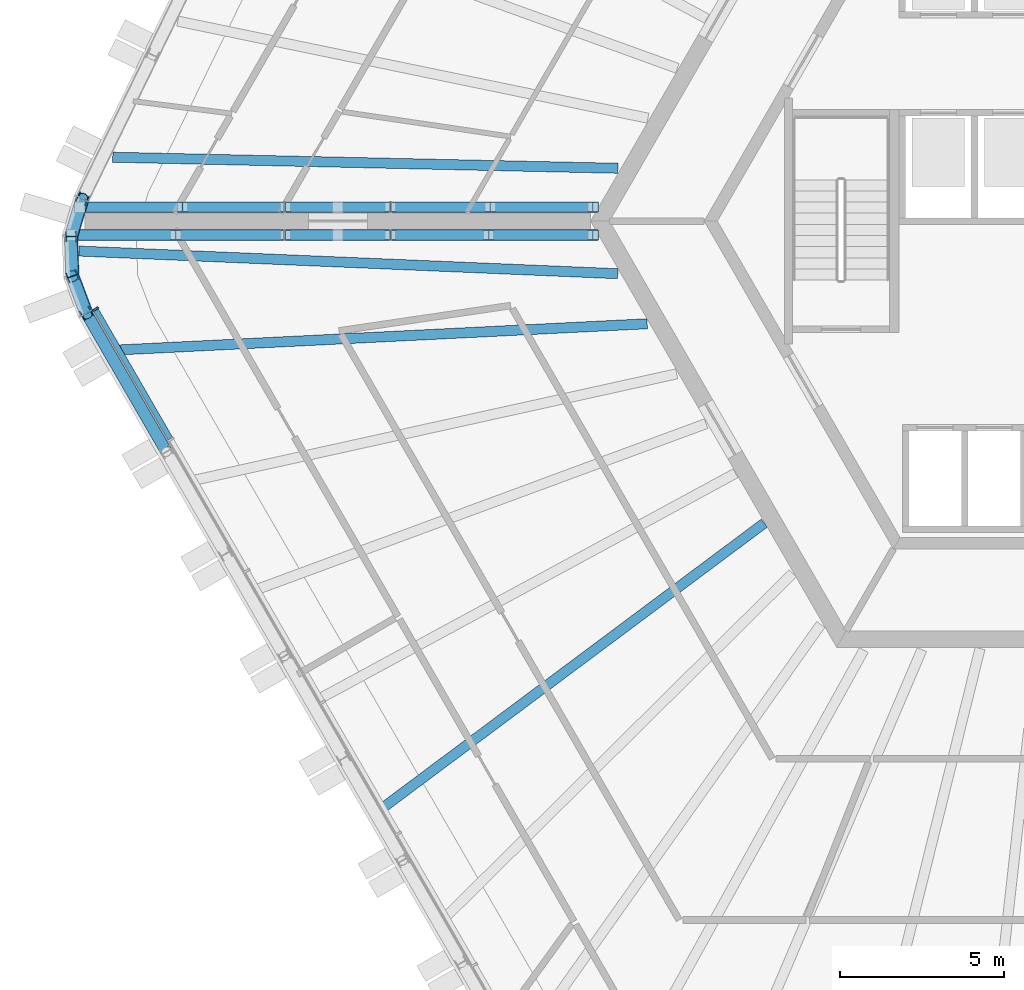
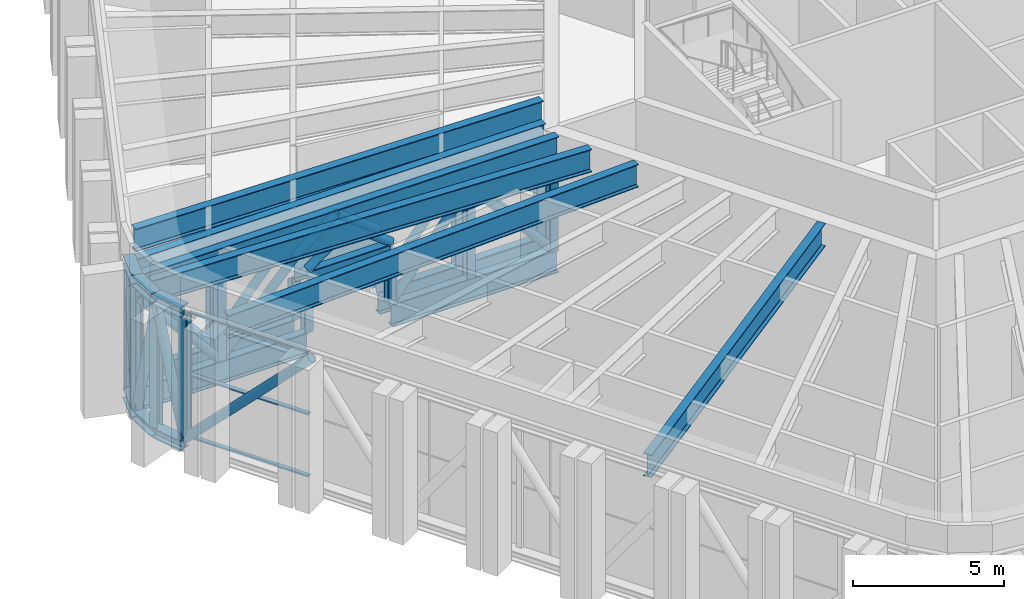
# One storey, part 3 of 24: 48 members, 4 beams, 1 element without a shape of its own.
"""IFC4 building model written with IfcOpenShell, lengths in metres."""

from ifc_helpers import new_model, si_unit, direction, frame, origin, origin_2d, place, context, subcontext, project, spatial, rectangle, hollow_circle, i_section, extrude, material, material_profile, profile_set, type_object, element, aggregate, save


model = new_model("IFC4")

# Units and contexts
model_context = context("Model", 3, precision=1e-05, world=origin(), true_north=direction((0.0, 1.0)))
body_context = subcontext(model_context, "Body", "Model", "MODEL_VIEW")
ifc_project = project(units=[si_unit("LENGTHUNIT", "METRE"), si_unit("AREAUNIT", "SQUARE_METRE"), si_unit("VOLUMEUNIT", "CUBIC_METRE"), si_unit("PLANEANGLEUNIT", "RADIAN"), si_unit("MASSUNIT", "GRAM", prefix="KILO")], contexts=[model_context])

# Site, building, storey
site_placement = place(None, origin())
site = spatial("IfcSite", under=ifc_project, at=site_placement, CompositionType="ELEMENT")
building_placement = place(site_placement, origin())
building = spatial("IfcBuilding", under=site, at=building_placement, Name="Tarnside Tower", CompositionType="ELEMENT")
storey_placement = place(building_placement, frame((0.0, 0.0, 250.199951171875)))
storey = spatial("IfcBuildingStorey", under=building, at=storey_placement, Name="L60", CompositionType="ELEMENT", Elevation=250.199951171875)

# Beams
ifc_material_1 = material(Name="Steel S355", Category="steel")
ifc_material_profile_1 = material_profile(ifc_material_1, i_section(OverallWidth=0.3076171875, OverallDepth=0.926513671875, WebThickness=0.01953125, FlangeThickness=0.031982421875, FilletRadius=0.01904296875, at=origin_2d()), Name="UB 914x305x289")
ifc_profile_set_1 = profile_set([ifc_material_profile_1], Name="Steel S355")
beam_type = type_object("IfcBeamType", Name="Floor beam UB 914x305x289", PredefinedType="BEAM", material=ifc_profile_set_1)
beam_1_placement = place(storey_placement, frame((-29.589111328125, 1.94873046875, 5.036865234375), z_axis=(0.999760303834, -0.021893717752, 0.0), x_axis=(0.021893717752, 0.999760303834, 0.0)))
element("IfcBeam", 1, at=beam_1_placement, inside=storey, type_object=beam_type, Name="Floor beam F2.07", PredefinedType="BEAM", context=body_context, shape_type="SweptSolid", body=[
    extrude(i_section(OverallWidth=0.3076171875, OverallDepth=0.926513671875, WebThickness=0.01953125, FlangeThickness=0.031982421875, FilletRadius=0.01904296875, at=origin_2d()), origin(), (0.0, 0.0, 1.0), 15.410888671875),
])
beam_2_placement = place(storey_placement, frame((-30.62060546875, -0.913818359375, 5.036865234375), z_axis=(0.999117289114, -0.042007649228, 0.0), x_axis=(0.042007649228, 0.999117289114, 0.0)))
element("IfcBeam", 2, at=beam_2_placement, inside=storey, type_object=beam_type, Name="Floor beam C2", PredefinedType="BEAM", context=body_context, shape_type="SweptSolid", body=[
    extrude(i_section(OverallWidth=0.3076171875, OverallDepth=0.926513671875, WebThickness=0.01953125, FlangeThickness=0.031982421875, FilletRadius=0.01904296875, at=origin_2d()), origin(), (0.0, 0.0, 1.0), 16.453125),
])
beam_3_placement = place(storey_placement, frame((-29.427001953125, -3.931396484375, 5.036865234375), z_axis=(0.998775473872, 0.049472747961, 0.0), x_axis=(-0.049472747961, 0.998775473872, 0.0)))
element("IfcBeam", 3, at=beam_3_placement, inside=storey, type_object=beam_type, Name="Floor beam F3.01", PredefinedType="BEAM", context=body_context, shape_type="SweptSolid", body=[
    extrude(i_section(OverallWidth=0.3076171875, OverallDepth=0.926513671875, WebThickness=0.01953125, FlangeThickness=0.031982421875, FilletRadius=0.01904296875, at=origin_2d()), origin(), (0.0, 0.0, 1.0), 16.16162109375),
])
beam_4_placement = place(storey_placement, frame((-21.4013671875, -17.934814453125, 5.036865234375), z_axis=(0.801508328279, 0.597983611564, 0.0), x_axis=(-0.597983611564, 0.801508328279, 0.0)))
element("IfcBeam", 4, at=beam_4_placement, inside=storey, type_object=beam_type, Name="Floor beam F3.05", PredefinedType="BEAM", context=body_context, shape_type="SweptSolid", body=[
    extrude(i_section(OverallWidth=0.3076171875, OverallDepth=0.926513671875, WebThickness=0.01953125, FlangeThickness=0.031982421875, FilletRadius=0.01904296875, at=origin_2d()), origin(), (0.0, 0.0, 1.0), 14.581787109375),
])

# Members
ifc_material_profile_2 = material_profile(ifc_material_1, i_section(OverallWidth=0.3076171875, OverallDepth=0.926513671875, WebThickness=0.01953125, FlangeThickness=0.031982421875, FilletRadius=0.01904296875, at=origin_2d()), Name="UB 914x305x289")
ifc_profile_set_2 = profile_set([ifc_material_profile_2], Name="Steel S355")
member_type_1 = type_object("IfcMemberType", Name="Outrigger chord UB 914x305x289", PredefinedType="CHORD", material=ifc_profile_set_2)
member_1_placement = place(storey_placement, frame((-14.765380859375, -0.425537109375, 5.036865234375), z_axis=(-1.0, 0.0, 0.0), x_axis=(0.0, -1.0, 0.0)))
element("IfcMember", 5, at=member_1_placement, inside=storey, type_object=member_type_1, Name="Outrigger truss top chord OR2A L60", PredefinedType="CHORD", context=body_context, shape_type="SweptSolid", body=[
    extrude(i_section(OverallWidth=0.3076171875, OverallDepth=0.926513671875, WebThickness=0.01953125, FlangeThickness=0.031982421875, FilletRadius=0.01904296875, at=origin_2d()), origin(), (0.0, 0.0, 1.0), 16.080078125),
])
member_2_placement = place(storey_placement, frame((-14.765380859375, -0.425537109375, 0.46337890625), z_axis=(-1.0, 0.0, 0.0), x_axis=(0.0, -1.0, 0.0)))
element("IfcMember", 6, at=member_2_placement, inside=storey, type_object=member_type_1, Name="Outrigger truss bottom chord OR2A L60", PredefinedType="CHORD", context=body_context, shape_type="SweptSolid", body=[
    extrude(i_section(OverallWidth=0.3076171875, OverallDepth=0.926513671875, WebThickness=0.01953125, FlangeThickness=0.031982421875, FilletRadius=0.01904296875, at=origin_2d()), origin(), (0.0, 0.0, 1.0), 6.357666015625),
])
member_3_placement = place(storey_placement, frame((-24.32275390625, -0.425537109375, 0.46337890625), z_axis=(-1.0, 0.0, 0.0), x_axis=(0.0, -1.0, 0.0)))
element("IfcMember", 7, at=member_3_placement, inside=storey, type_object=member_type_1, Name="Outrigger truss bottom chord OR2A L60", PredefinedType="CHORD", context=body_context, shape_type="SweptSolid", body=[
    extrude(i_section(OverallWidth=0.3076171875, OverallDepth=0.926513671875, WebThickness=0.01953125, FlangeThickness=0.031982421875, FilletRadius=0.01904296875, at=origin_2d()), origin(), (0.0, 0.0, 1.0), 6.522705078125),
])
member_4_placement = place(storey_placement, frame((-21.123046875, -0.425537109375, 2.913330078125), z_axis=(-1.0, 0.0, 0.0), x_axis=(0.0, -1.0, 0.0)))
element("IfcMember", 8, at=member_4_placement, inside=storey, type_object=member_type_1, Name="Outrigger truss lintel OR2A L60", PredefinedType="CHORD", context=body_context, shape_type="SweptSolid", body=[
    extrude(i_section(OverallWidth=0.3076171875, OverallDepth=0.926513671875, WebThickness=0.01953125, FlangeThickness=0.031982421875, FilletRadius=0.01904296875, at=origin_2d()), origin(), (0.0, 0.0, 1.0), 3.19970703125),
])
member_5_placement = place(storey_placement, frame((-14.765380859375, 0.425537109375, 5.036865234375), z_axis=(-1.0, 0.0, 0.0), x_axis=(0.0, -1.0, 0.0)))
element("IfcMember", 9, at=member_5_placement, inside=storey, type_object=member_type_1, Name="Outrigger truss top chord OR2B L60", PredefinedType="CHORD", context=body_context, shape_type="SweptSolid", body=[
    extrude(i_section(OverallWidth=0.3076171875, OverallDepth=0.926513671875, WebThickness=0.01953125, FlangeThickness=0.031982421875, FilletRadius=0.01904296875, at=origin_2d()), origin(), (0.0, 0.0, 1.0), 15.8251953125),
])
member_6_placement = place(storey_placement, frame((-14.765380859375, 0.425537109375, 0.46337890625), z_axis=(-1.0, 0.0, 0.0), x_axis=(0.0, -1.0, 0.0)))
element("IfcMember", 10, at=member_6_placement, inside=storey, type_object=member_type_1, Name="Outrigger truss bottom chord OR2B L60", PredefinedType="CHORD", context=body_context, shape_type="SweptSolid", body=[
    extrude(i_section(OverallWidth=0.3076171875, OverallDepth=0.926513671875, WebThickness=0.01953125, FlangeThickness=0.031982421875, FilletRadius=0.01904296875, at=origin_2d()), origin(), (0.0, 0.0, 1.0), 6.357666015625),
])
member_7_placement = place(storey_placement, frame((-24.32275390625, 0.425537109375, 0.46337890625), z_axis=(-1.0, 0.0, 0.0), x_axis=(0.0, -1.0, 0.0)))
element("IfcMember", 11, at=member_7_placement, inside=storey, type_object=member_type_1, Name="Outrigger truss bottom chord OR2B L60", PredefinedType="CHORD", context=body_context, shape_type="SweptSolid", body=[
    extrude(i_section(OverallWidth=0.3076171875, OverallDepth=0.926513671875, WebThickness=0.01953125, FlangeThickness=0.031982421875, FilletRadius=0.01904296875, at=origin_2d()), origin(), (0.0, 0.0, 1.0), 6.267822265625),
])
member_8_placement = place(storey_placement, frame((-21.123046875, 0.425537109375, 2.913330078125), z_axis=(-1.0, 0.0, 0.0), x_axis=(0.0, -1.0, 0.0)))
element("IfcMember", 12, at=member_8_placement, inside=storey, type_object=member_type_1, Name="Outrigger truss lintel OR2B L60", PredefinedType="CHORD", context=body_context, shape_type="SweptSolid", body=[
    extrude(i_section(OverallWidth=0.3076171875, OverallDepth=0.926513671875, WebThickness=0.01953125, FlangeThickness=0.031982421875, FilletRadius=0.01904296875, at=origin_2d()), origin(), (0.0, 0.0, 1.0), 3.19970703125),
])
ifc_material_profile_3 = material_profile(ifc_material_1, hollow_circle(Radius=0.161865234375, WallThickness=0.012451171875, at=origin_2d()), Name="CHS 323.9x12.5")
ifc_profile_set_3 = profile_set([ifc_material_profile_3], Name="Steel S355")
member_type_2 = type_object("IfcMemberType", Name="Outrigger diagonal CHS 323.9x12.5", PredefinedType="BRACE", material=ifc_profile_set_3)
member_9_placement = place(storey_placement, frame((-14.94091796875, -0.425537109375, 0.9267578125), z_axis=(-0.657335834515, 0.0, 0.753597771137), x_axis=(0.0, -1.0, 0.0)))
element("IfcMember", 13, at=member_9_placement, inside=storey, type_object=member_type_2, Name="Outrigger truss diagonal OR2A 1", PredefinedType="BRACE", context=body_context, shape_type="SweptSolid", body=[
    extrude(hollow_circle(Radius=0.161865234375, WallThickness=0.012451171875, at=origin_2d()), origin(), (0.0, 0.0, 1.0), 4.839111328125),
])
member_10_placement = place(storey_placement, frame((-18.121826171875, -0.425537109375, 4.573486328125), z_axis=(-0.635458988204, 0.0, -0.772134621883), x_axis=(0.0, -1.0, 0.0)))
element("IfcMember", 14, at=member_10_placement, inside=storey, type_object=member_type_2, Name="Outrigger truss diagonal OR2A 2", PredefinedType="BRACE", context=body_context, shape_type="SweptSolid", body=[
    extrude(hollow_circle(Radius=0.161865234375, WallThickness=0.012451171875, at=origin_2d()), origin(), (0.0, 0.0, 1.0), 4.722900390625),
])
for number, where, z_axis, x_axis, name in (
    (15, (-21.123046875, -0.425537109375, 3.376708984375), (-0.800747215157, 0.0, 0.599002418541), (0.0, -1.0, 0.0), "Outrigger truss diagonal OR2A 3"),
    (16, (-24.32275390625, -0.425537109375, 3.376708984375), (0.800747215157, 0.0, 0.599002418541), (0.0, 1.0, 0.0), "Outrigger truss diagonal OR2A 4"),
):
    element("IfcMember", number, at=place(storey_placement, frame(where, z_axis=z_axis, x_axis=x_axis)), inside=storey, type_object=member_type_2, Name=name, PredefinedType="BRACE", context=body_context, shape_type="SweptSolid", body=[
        extrude(hollow_circle(Radius=0.161865234375, WallThickness=0.012451171875, at=origin_2d()), origin(), (0.0, 0.0, 1.0), 1.998046875),
    ])
member_11_placement = place(storey_placement, frame((-24.32275390625, -0.425537109375, 4.573486328125), z_axis=(-0.675610631679, 0.0, -0.737258621084), x_axis=(0.0, -1.0, 0.0)))
element("IfcMember", 17, at=member_11_placement, inside=storey, type_object=member_type_2, Name="Outrigger truss diagonal OR2A 5", PredefinedType="BRACE", context=body_context, shape_type="SweptSolid", body=[
    extrude(hollow_circle(Radius=0.161865234375, WallThickness=0.012451171875, at=origin_2d()), origin(), (0.0, 0.0, 1.0), 4.9462890625),
])
member_12_placement = place(storey_placement, frame((-27.66455078125, -0.425537109375, 0.9267578125), z_axis=(-0.657335834515, 0.0, 0.753597771137), x_axis=(0.0, -1.0, 0.0)))
element("IfcMember", 18, at=member_12_placement, inside=storey, type_object=member_type_2, Name="Outrigger truss diagonal OR2A 6", PredefinedType="BRACE", context=body_context, shape_type="SweptSolid", body=[
    extrude(hollow_circle(Radius=0.161865234375, WallThickness=0.012451171875, at=origin_2d()), origin(), (0.0, 0.0, 1.0), 4.839111328125),
])
member_13_placement = place(storey_placement, frame((-14.94091796875, 0.425537109375, 0.9267578125), z_axis=(-0.651284914274, 0.0, 0.758833288963), x_axis=(0.0, -1.0, 0.0)))
element("IfcMember", 19, at=member_13_placement, inside=storey, type_object=member_type_2, Name="Outrigger truss diagonal OR2B 1", PredefinedType="BRACE", context=body_context, shape_type="SweptSolid", body=[
    extrude(hollow_circle(Radius=0.161865234375, WallThickness=0.012451171875, at=origin_2d()), origin(), (0.0, 0.0, 1.0), 4.8056640625),
])
member_14_placement = place(storey_placement, frame((-18.07080078125, 0.425537109375, 4.573486328125), z_axis=(-0.641834169573, 0.0, -0.766843464319), x_axis=(0.0, -1.0, 0.0)))
element("IfcMember", 20, at=member_14_placement, inside=storey, type_object=member_type_2, Name="Outrigger truss diagonal OR2B 2", PredefinedType="BRACE", context=body_context, shape_type="SweptSolid", body=[
    extrude(hollow_circle(Radius=0.161865234375, WallThickness=0.012451171875, at=origin_2d()), origin(), (0.0, 0.0, 1.0), 4.755615234375),
])
for number, where, z_axis, x_axis, name in (
    (21, (-21.123046875, 0.425537109375, 3.376708984375), (-0.800747215157, 0.0, 0.599002418541), (0.0, -1.0, 0.0), "Outrigger truss diagonal OR2B 3"),
    (22, (-24.32275390625, 0.425537109375, 3.376708984375), (0.800747215157, 0.0, 0.599002418541), (0.0, 1.0, 0.0), "Outrigger truss diagonal OR2B 4"),
):
    element("IfcMember", number, at=place(storey_placement, frame(where, z_axis=z_axis, x_axis=x_axis)), inside=storey, type_object=member_type_2, Name=name, PredefinedType="BRACE", context=body_context, shape_type="SweptSolid", body=[
        extrude(hollow_circle(Radius=0.161865234375, WallThickness=0.012451171875, at=origin_2d()), origin(), (0.0, 0.0, 1.0), 1.998046875),
    ])
member_15_placement = place(storey_placement, frame((-24.32275390625, 0.425537109375, 4.573486328125), z_axis=(-0.652248695583, 0.0, -0.758005038974), x_axis=(0.0, -1.0, 0.0)))
element("IfcMember", 23, at=member_15_placement, inside=storey, type_object=member_type_2, Name="Outrigger truss diagonal OR2B 5", PredefinedType="BRACE", context=body_context, shape_type="SweptSolid", body=[
    extrude(hollow_circle(Radius=0.161865234375, WallThickness=0.012451171875, at=origin_2d()), origin(), (0.0, 0.0, 1.0), 4.81103515625),
])
member_16_placement = place(storey_placement, frame((-27.460693359375, 0.425537109375, 0.9267578125), z_axis=(-0.651284914274, 0.0, 0.758833288963), x_axis=(0.0, -1.0, 0.0)))
element("IfcMember", 24, at=member_16_placement, inside=storey, type_object=member_type_2, Name="Outrigger truss diagonal OR2B 6", PredefinedType="BRACE", context=body_context, shape_type="SweptSolid", body=[
    extrude(hollow_circle(Radius=0.161865234375, WallThickness=0.012451171875, at=origin_2d()), origin(), (0.0, 0.0, 1.0), 4.8056640625),
])
ifc_material_profile_4 = material_profile(ifc_material_1, i_section(OverallWidth=0.311279296875, OverallDepth=0.3271484375, WebThickness=0.015869140625, FlangeThickness=0.02490234375, FilletRadius=0.01513671875, at=origin_2d()), Name="UC 305x305x158")
ifc_profile_set_4 = profile_set([ifc_material_profile_4], Name="Steel S355")
member_type_3 = type_object("IfcMemberType", Name="Outrigger post UC 305x305x158", PredefinedType="POST", material=ifc_profile_set_4)
for number, where, z_axis, x_axis, name in (
    (25, (-14.94091796875, -0.425537109375, 0.9267578125), (0.0, 0.0, 1.0), (-1.0, 0.0, 0.0), "Outrigger truss post OR2A 1"),
    (26, (-18.121826171875, -0.425537109375, 0.9267578125), (0.0, 0.0, 1.0), (-1.0, 0.0, 0.0), "Outrigger truss post OR2A 2"),
):
    element("IfcMember", number, at=place(storey_placement, frame(where, z_axis=z_axis, x_axis=x_axis)), inside=storey, type_object=member_type_3, Name=name, PredefinedType="POST", context=body_context, shape_type="SweptSolid", body=[
        extrude(i_section(OverallWidth=0.311279296875, OverallDepth=0.3271484375, WebThickness=0.015869140625, FlangeThickness=0.02490234375, FilletRadius=0.01513671875, at=origin_2d()), origin(), (0.0, 0.0, 1.0), 3.646728515625),
    ])
for number, where, z_axis, x_axis, name in (
    (27, (-21.123046875, -0.425537109375, 0.9267578125), (0.0, 0.0, 1.0), (-1.0, 0.0, 0.0), "Outrigger truss post OR2A 3"),
    (28, (-24.32275390625, -0.425537109375, 0.9267578125), (0.0, 0.0, 1.0), (-1.0, 0.0, 0.0), "Outrigger truss post OR2A 4"),
):
    element("IfcMember", number, at=place(storey_placement, frame(where, z_axis=z_axis, x_axis=x_axis)), inside=storey, type_object=member_type_3, Name=name, PredefinedType="POST", context=body_context, shape_type="SweptSolid", body=[
        extrude(i_section(OverallWidth=0.311279296875, OverallDepth=0.3271484375, WebThickness=0.015869140625, FlangeThickness=0.02490234375, FilletRadius=0.01513671875, at=origin_2d()), origin(), (0.0, 0.0, 1.0), 1.523193359375),
    ])
for number, where, z_axis, x_axis, name in (
    (29, (-27.66455078125, -0.425537109375, 0.9267578125), (0.0, 0.0, 1.0), (-1.0, 0.0, 0.0), "Outrigger truss post OR2A 5"),
    (30, (-14.94091796875, 0.425537109375, 0.9267578125), (0.0, 0.0, 1.0), (-1.0, 0.0, 0.0), "Outrigger truss post OR2B 1"),
    (31, (-18.07080078125, 0.425537109375, 0.9267578125), (0.0, 0.0, 1.0), (-1.0, 0.0, 0.0), "Outrigger truss post OR2B 2"),
):
    element("IfcMember", number, at=place(storey_placement, frame(where, z_axis=z_axis, x_axis=x_axis)), inside=storey, type_object=member_type_3, Name=name, PredefinedType="POST", context=body_context, shape_type="SweptSolid", body=[
        extrude(i_section(OverallWidth=0.311279296875, OverallDepth=0.3271484375, WebThickness=0.015869140625, FlangeThickness=0.02490234375, FilletRadius=0.01513671875, at=origin_2d()), origin(), (0.0, 0.0, 1.0), 3.646728515625),
    ])
for number, where, z_axis, x_axis, name in (
    (32, (-21.123046875, 0.425537109375, 0.9267578125), (0.0, 0.0, 1.0), (-1.0, 0.0, 0.0), "Outrigger truss post OR2B 3"),
    (33, (-24.32275390625, 0.425537109375, 0.9267578125), (0.0, 0.0, 1.0), (-1.0, 0.0, 0.0), "Outrigger truss post OR2B 4"),
):
    element("IfcMember", number, at=place(storey_placement, frame(where, z_axis=z_axis, x_axis=x_axis)), inside=storey, type_object=member_type_3, Name=name, PredefinedType="POST", context=body_context, shape_type="SweptSolid", body=[
        extrude(i_section(OverallWidth=0.311279296875, OverallDepth=0.3271484375, WebThickness=0.015869140625, FlangeThickness=0.02490234375, FilletRadius=0.01513671875, at=origin_2d()), origin(), (0.0, 0.0, 1.0), 1.523193359375),
    ])
member_17_placement = place(storey_placement, frame((-27.460693359375, 0.425537109375, 0.9267578125), z_axis=(0.0, 0.0, 1.0), x_axis=(-1.0, 0.0, 0.0)))
element("IfcMember", 34, at=member_17_placement, inside=storey, type_object=member_type_3, Name="Outrigger truss post OR2B 5", PredefinedType="POST", context=body_context, shape_type="SweptSolid", body=[
    extrude(i_section(OverallWidth=0.311279296875, OverallDepth=0.3271484375, WebThickness=0.015869140625, FlangeThickness=0.02490234375, FilletRadius=0.01513671875, at=origin_2d()), origin(), (0.0, 0.0, 1.0), 3.646728515625),
])

# Curtain wall, members
ifc_material_2 = material(Name="Sky lobby glazing wall", Category="glass")
curtain_wall_type = type_object("IfcCurtainWallType", Name="Sky lobby glazing wall", PredefinedType="NOTDEFINED", material=ifc_material_2)
curtain_wall_placement = place(storey_placement, origin())
curtain_wall = element("IfcCurtainWall", 35, at=curtain_wall_placement, inside=storey, type_object=curtain_wall_type, Name="Sky lobby glazing L60 F3", PredefinedType="NOTDEFINED")
ifc_material_3 = material(Name="Aluminium alloy 6063", Category="aluminium")
ifc_material_profile_5 = material_profile(ifc_material_3, rectangle(XDim=0.199951171875, YDim=0.06005859375, at=origin_2d()), Name="Sky lobby glazing mullion 60 x 200")
ifc_profile_set_5 = profile_set([ifc_material_profile_5], Name="Aluminium alloy 6063")
member_type_4 = type_object("IfcMemberType", Name="Sky lobby glazing mullion 60 x 200", PredefinedType="MULLION", material=ifc_profile_set_5)
member_18_placement = place(storey_placement, frame((-30.11328125, -2.685302734375, 0.0), z_axis=(0.0, 0.0, 1.0), x_axis=(0.866025403784, 0.5, 0.0)))
member_18 = element("IfcMember", 36, at=member_18_placement, type_object=member_type_4, Name="CW4 mullion 1", PredefinedType="MULLION", context=body_context, shape_type="SweptSolid", body=[
    extrude(rectangle(XDim=0.199951171875, YDim=0.06005859375, at=origin_2d()), origin(), (0.0, 0.0, 1.0), 5.0810546875),
])
ifc_material_profile_6 = material_profile(ifc_material_3, rectangle(XDim=0.159912109375, YDim=0.06005859375, at=origin_2d()), Name="Sky lobby glazing transom 60 x 160")
ifc_profile_set_6 = profile_set([ifc_material_profile_6], Name="Aluminium alloy 6063")
member_type_5 = type_object("IfcMemberType", Name="Sky lobby glazing transom 60 x 160", PredefinedType="USERDEFINED", material=ifc_profile_set_6)
member_19_placement = place(storey_placement, frame((-30.09814453125, -2.71142578125, 0.030029296875), z_axis=(0.499994220392, -0.866028740617, 0.0), x_axis=(0.866028740617, 0.499994220392, 0.0)))
member_19 = element("IfcMember", 37, at=member_19_placement, type_object=member_type_5, Name="CW4 transom 1.1", ObjectType="TRANSOM", PredefinedType="USERDEFINED", context=body_context, shape_type="SweptSolid", body=[
    extrude(rectangle(XDim=0.159912109375, YDim=0.06005859375, at=origin_2d()), origin(), (0.0, 0.0, 1.0), 4.5361328125),
])
member_20_placement = place(storey_placement, frame((-30.09814453125, -2.71142578125, 2.54052734375), z_axis=(0.499994220392, -0.866028740617, 0.0), x_axis=(0.866028740617, 0.499994220392, 0.0)))
member_20 = element("IfcMember", 38, at=member_20_placement, type_object=member_type_5, Name="CW4 transom 1.2", ObjectType="TRANSOM", PredefinedType="USERDEFINED", context=body_context, shape_type="SweptSolid", body=[
    extrude(rectangle(XDim=0.159912109375, YDim=0.06005859375, at=origin_2d()), origin(), (0.0, 0.0, 1.0), 4.5361328125),
])
member_21_placement = place(storey_placement, frame((-30.09814453125, -2.71142578125, 5.051025390625), z_axis=(0.499994220392, -0.866028740617, 0.0), x_axis=(0.866028740617, 0.499994220392, 0.0)))
member_21 = element("IfcMember", 39, at=member_21_placement, type_object=member_type_5, Name="CW4 transom 1.3", ObjectType="TRANSOM", PredefinedType="USERDEFINED", context=body_context, shape_type="SweptSolid", body=[
    extrude(rectangle(XDim=0.159912109375, YDim=0.06005859375, at=origin_2d()), origin(), (0.0, 0.0, 1.0), 4.5361328125),
])
aggregate(curtain_wall, [member_18, member_19, member_20, member_21])

# Members
ifc_material_profile_7 = material_profile(ifc_material_1, i_section(OverallWidth=0.403076171875, OverallDepth=0.406494140625, WebThickness=0.026611328125, FlangeThickness=0.04296875, FilletRadius=0.01513671875, at=origin_2d()), Name="UC 356x406x340")
ifc_profile_set_7 = profile_set([ifc_material_profile_7], Name="Steel S355")
member_type_6 = type_object("IfcMemberType", Name="Truss chord UC 356x406x340", PredefinedType="CHORD", material=ifc_profile_set_7)
for number, where, z_axis, x_axis, name in (
    (40, (-30.51318359375, 0.684326171875, -0.0966796875), (-0.286736058109, -0.958009620505, 0.0), (0.958009620505, -0.286736058109, 0.0), "Belt truss bottom chord L60 corner2.1"),
    (41, (-30.859619140625, -0.47314453125, -0.0966796875), (0.03495638276, -0.999388838893, 0.0), (0.999388838893, 0.03495638276, 0.0), "Belt truss bottom chord L60 corner2.2"),
):
    element("IfcMember", number, at=place(storey_placement, frame(where, z_axis=z_axis, x_axis=x_axis)), inside=storey, type_object=member_type_6, Name=name, PredefinedType="CHORD", context=body_context, shape_type="SweptSolid", body=[
        extrude(i_section(OverallWidth=0.403076171875, OverallDepth=0.406494140625, WebThickness=0.026611328125, FlangeThickness=0.04296875, FilletRadius=0.01513671875, at=origin_2d()), origin(), (0.0, 0.0, 1.0), 1.208251953125),
    ])
member_22_placement = place(storey_placement, frame((-30.8173828125, -1.6806640625, -0.0966796875), z_axis=(0.352850303963, -0.935679786569, 0.0), x_axis=(0.935679786569, 0.352850303963, 0.0)))
element("IfcMember", 42, at=member_22_placement, inside=storey, type_object=member_type_6, Name="Belt truss bottom chord L60 corner2.3", PredefinedType="CHORD", context=body_context, shape_type="SweptSolid", body=[
    extrude(i_section(OverallWidth=0.403076171875, OverallDepth=0.406494140625, WebThickness=0.026611328125, FlangeThickness=0.04296875, FilletRadius=0.01513671875, at=origin_2d()), origin(), (0.0, 0.0, 1.0), 1.2080078125),
])
ifc_material_profile_8 = material_profile(ifc_material_1, i_section(OverallWidth=0.406982421875, OverallDepth=0.4189453125, WebThickness=0.030517578125, FlangeThickness=0.04931640625, FilletRadius=0.01513671875, at=origin_2d()), Name="UC 356x406x393")
ifc_profile_set_8 = profile_set([ifc_material_profile_8], Name="Steel S355")
member_type_7 = type_object("IfcMemberType", Name="Truss chord UC 356x406x393", PredefinedType="CHORD", material=ifc_profile_set_8)
for number, where, z_axis, x_axis, name in (
    (43, (-30.51318359375, 0.684326171875, 5.29052734375), (-0.286736058109, -0.958009620505, 0.0), (0.958009620505, -0.286736058109, 0.0), "Belt truss top chord L60 corner2.1"),
    (44, (-30.859619140625, -0.47314453125, 5.29052734375), (0.03495638276, -0.999388838893, 0.0), (0.999388838893, 0.03495638276, 0.0), "Belt truss top chord L60 corner2.2"),
):
    element("IfcMember", number, at=place(storey_placement, frame(where, z_axis=z_axis, x_axis=x_axis)), inside=storey, type_object=member_type_7, Name=name, PredefinedType="CHORD", context=body_context, shape_type="SweptSolid", body=[
        extrude(i_section(OverallWidth=0.406982421875, OverallDepth=0.4189453125, WebThickness=0.030517578125, FlangeThickness=0.04931640625, FilletRadius=0.01513671875, at=origin_2d()), origin(), (0.0, 0.0, 1.0), 1.208251953125),
    ])
member_23_placement = place(storey_placement, frame((-30.8173828125, -1.6806640625, 5.29052734375), z_axis=(0.352850303963, -0.935679786569, 0.0), x_axis=(0.935679786569, 0.352850303963, 0.0)))
element("IfcMember", 45, at=member_23_placement, inside=storey, type_object=member_type_7, Name="Belt truss top chord L60 corner2.3", PredefinedType="CHORD", context=body_context, shape_type="SweptSolid", body=[
    extrude(i_section(OverallWidth=0.406982421875, OverallDepth=0.4189453125, WebThickness=0.030517578125, FlangeThickness=0.04931640625, FilletRadius=0.01513671875, at=origin_2d()), origin(), (0.0, 0.0, 1.0), 1.2080078125),
])
ifc_material_profile_9 = material_profile(ifc_material_1, hollow_circle(Radius=0.177734375, WallThickness=0.01611328125, at=origin_2d()), Name="CHS 355.6x16")
ifc_profile_set_9 = profile_set([ifc_material_profile_9], Name="Steel S355")
member_type_8 = type_object("IfcMemberType", Name="Truss diagonal CHS 355.6x16", PredefinedType="BRACE", material=ifc_profile_set_9)
for number, where, z_axis, x_axis, name in (
    (46, (-30.51318359375, 0.684326171875, 5.0810546875), (-0.067673397746, -0.226102592468, -0.971749931267), (0.958009620505, -0.286736058109, 0.0), "Belt truss diagonal L60 18"),
    (47, (-30.859619140625, -0.47314453125, 0.1064453125), (0.008250506328, -0.235878637566, 0.971747496773), (0.999388838893, 0.03495638276, 0.0), "Belt truss diagonal L60 19"),
    (48, (-30.8173828125, -1.6806640625, 5.0810546875), (0.083268819373, -0.220810214029, -0.971755706492), (0.935679786569, 0.352850303963, 0.0), "Belt truss diagonal L60 20"),
):
    element("IfcMember", number, at=place(storey_placement, frame(where, z_axis=z_axis, x_axis=x_axis)), inside=storey, type_object=member_type_8, Name=name, PredefinedType="BRACE", context=body_context, shape_type="SweptSolid", body=[
        extrude(hollow_circle(Radius=0.177734375, WallThickness=0.01611328125, at=origin_2d()), origin(), (0.0, 0.0, 1.0), 5.119140625),
    ])
member_24_placement = place(storey_placement, frame((-30.39111328125, -2.81103515625, 0.1064453125), z_axis=(0.350100368534, -0.606403830887, 0.713935659453), x_axis=(0.866029761307, 0.499992452474, 0.0)))
element("IfcMember", 49, at=member_24_placement, inside=storey, type_object=member_type_8, Name="Belt truss diagonal L60 21", PredefinedType="BRACE", context=body_context, shape_type="SweptSolid", body=[
    extrude(hollow_circle(Radius=0.177734375, WallThickness=0.01611328125, at=origin_2d()), origin(), (0.0, 0.0, 1.0), 6.9677734375),
])
ifc_material_profile_10 = material_profile(ifc_material_1, i_section(OverallWidth=0.311279296875, OverallDepth=0.3271484375, WebThickness=0.015869140625, FlangeThickness=0.02490234375, FilletRadius=0.01513671875, at=origin_2d()), Name="UC 305x305x158")
ifc_profile_set_10 = profile_set([ifc_material_profile_10], Name="Steel S355")
member_type_9 = type_object("IfcMemberType", Name="Truss post UC 305x305x158", PredefinedType="POST", material=ifc_profile_set_10)
for number, where, z_axis, x_axis, name in (
    (50, (-30.51318359375, 0.684326171875, 0.1064453125), (0.0, 0.0, 1.0), (-0.438371146789, -0.898794046299, 0.0), "Belt truss post L60 18"),
    (51, (-30.859619140625, -0.47314453125, 0.1064453125), (0.0, 0.0, 1.0), (0.034899496703, -0.999390827019, 0.0), "Belt truss post L60 19"),
    (52, (-30.8173828125, -1.6806640625, 0.1064453125), (0.0, 0.0, 1.0), (0.352930564719, -0.935649515837, 0.0), "Belt truss post L60 20"),
    (53, (-30.39111328125, -2.81103515625, 0.1064453125), (0.0, 0.0, 1.0), (0.5, -0.866025403784, 0.0), "Belt truss post L60 21"),
):
    element("IfcMember", number, at=place(storey_placement, frame(where, z_axis=z_axis, x_axis=x_axis)), inside=storey, type_object=member_type_9, Name=name, PredefinedType="POST", context=body_context, shape_type="SweptSolid", body=[
        extrude(i_section(OverallWidth=0.311279296875, OverallDepth=0.3271484375, WebThickness=0.015869140625, FlangeThickness=0.02490234375, FilletRadius=0.01513671875, at=origin_2d()), origin(), (0.0, 0.0, 1.0), 4.974609375),
    ])

save(model, "model.ifc")
